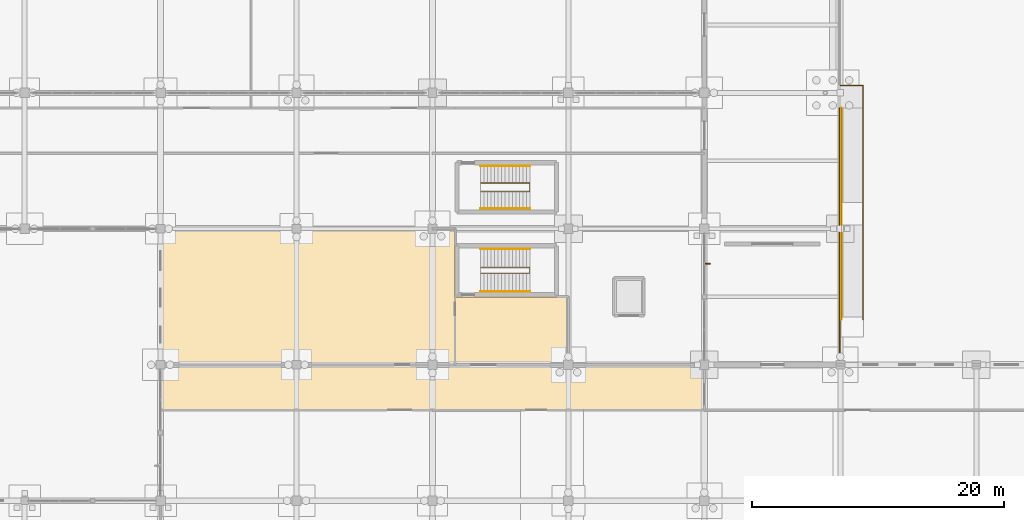
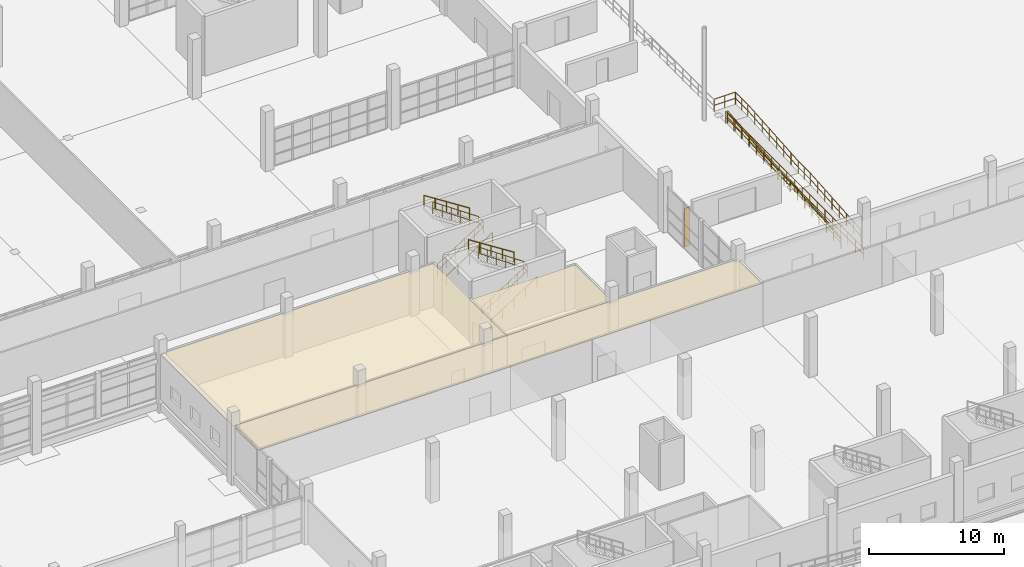
# One storey, part 135 of 138: 10 railings, 3 coverings, 1 shading device.
"""IFC4 building model written with IfcOpenShell, lengths in metres."""

from ifc_helpers import new_model, si_unit, direction, frame, origin, origin_2d, place, context, subcontext, project, spatial, polyline, rectangle, circle, outline, extrude, material, layer, layer_set, type_object, element, save


model = new_model("IFC4")

# Units and contexts
model_context = context("Model", 3, precision=1e-05, world=origin(), true_north=direction((0.0, 1.0)))
body_context = subcontext(model_context, "Body", "Model", "MODEL_VIEW")
ifc_project = project(units=[si_unit("LENGTHUNIT", "METRE"), si_unit("AREAUNIT", "SQUARE_METRE"), si_unit("VOLUMEUNIT", "CUBIC_METRE"), si_unit("PLANEANGLEUNIT", "RADIAN"), si_unit("MASSUNIT", "GRAM", prefix="KILO")], contexts=[model_context])

# Site, building, storey
site_placement = place(None, origin())
site = spatial("IfcSite", under=ifc_project, at=site_placement, CompositionType="ELEMENT")
building_placement = place(site_placement, origin())
building = spatial("IfcBuilding", under=site, at=building_placement, Name="Zwinboog Wholesale Market", CompositionType="ELEMENT")
storey_placement = place(building_placement, origin())
storey = spatial("IfcBuildingStorey", under=building, at=storey_placement, Name="L00", CompositionType="ELEMENT", Elevation=0.0)

# Shading device
ifc_material_1 = material(Name="Western red cedar timber", Category="wood")
shading_device_type = type_object("IfcShadingDeviceType", Name="SHD-FIN-CEDAR", PredefinedType="USERDEFINED", material=ifc_material_1)
shading_device_placement = place(storey_placement, frame((173.054931640625, 40.4150390625, 0.080078125), z_axis=(0.0, 0.0, 1.0), x_axis=(1.0, 0.0, 0.0)))
element("IfcShadingDevice", 1, at=shading_device_placement, inside=storey, type_object=shading_device_type, Name="FN-01 (SHD-FIN-015)", ObjectType="FIN", PredefinedType="USERDEFINED", context=body_context, shape_type="SweptSolid", body=[
    extrude(rectangle(XDim=0.419921875, YDim=0.0849609375, at=origin_2d()), origin(), (0.0, 0.0, 1.0), 3.5),
])

# Railings
ifc_material_2 = material(Name="Steel S355", Category="steel")
railing_type_1 = type_object("IfcRailingType", Name="RLT-EXT-GUARD", PredefinedType="BALUSTRADE", material=ifc_material_2)
railing_1_placement = place(storey_placement, frame((183.550048828125, 32.449951171875, 0.0)))
element("IfcRailing", 2, at=railing_1_placement, inside=storey, type_object=railing_type_1, Name="GR-01 (RLG-EXT-05)", PredefinedType="BALUSTRADE", context=body_context, shape_type="SweptSolid", body=[
    extrude(circle(Radius=0.02392578125, at=origin_2d()), frame((0.0, 0.0, 1.09619140625), z_axis=(0.0, 1.0, 0.0), x_axis=(-1.0, 0.0, 0.0)), (0.0, 0.0, 1.0), 20.35009765625),
    extrude(circle(Radius=0.02392578125, at=origin_2d()), frame((0.0, 0.0, 0.5361328125), z_axis=(0.0, 1.0, 0.0), x_axis=(-1.0, 0.0, 0.0)), (0.0, 0.0, 1.0), 20.35009765625),
    extrude(circle(Radius=0.02099609375, at=origin_2d()), origin(), (0.0, 0.0, 1.0), 1.072021484375),
    extrude(circle(Radius=0.02099609375, at=origin_2d()), frame((0.0, 1.130615234375, 0.0)), (0.0, 0.0, 1.0), 1.072021484375),
    extrude(circle(Radius=0.02099609375, at=origin_2d()), frame((0.0, 2.26123046875, 0.0)), (0.0, 0.0, 1.0), 1.072021484375),
    extrude(circle(Radius=0.02099609375, at=origin_2d()), frame((0.0, 3.3916015625, 0.0)), (0.0, 0.0, 1.0), 1.072021484375),
    extrude(circle(Radius=0.02099609375, at=origin_2d()), frame((0.0, 4.522216796875, 0.0)), (0.0, 0.0, 1.0), 1.072021484375),
    extrude(circle(Radius=0.02099609375, at=origin_2d()), frame((0.0, 5.65283203125, 0.0)), (0.0, 0.0, 1.0), 1.072021484375),
    extrude(circle(Radius=0.02099609375, at=origin_2d()), frame((0.0, 6.783447265625, 0.0)), (0.0, 0.0, 1.0), 1.072021484375),
    extrude(circle(Radius=0.02099609375, at=origin_2d()), frame((0.0, 7.913818359375, 0.0)), (0.0, 0.0, 1.0), 1.072021484375),
    extrude(circle(Radius=0.02099609375, at=origin_2d()), frame((0.0, 9.04443359375, 0.0)), (0.0, 0.0, 1.0), 1.072021484375),
    extrude(circle(Radius=0.02099609375, at=origin_2d()), frame((0.0, 10.175048828125, 0.0)), (0.0, 0.0, 1.0), 1.072021484375),
    extrude(circle(Radius=0.02099609375, at=origin_2d()), frame((0.0, 11.3056640625, 0.0)), (0.0, 0.0, 1.0), 1.072021484375),
    extrude(circle(Radius=0.02099609375, at=origin_2d()), frame((0.0, 12.436279296875, 0.0)), (0.0, 0.0, 1.0), 1.072021484375),
    extrude(circle(Radius=0.02099609375, at=origin_2d()), frame((0.0, 13.566650390625, 0.0)), (0.0, 0.0, 1.0), 1.072021484375),
    extrude(circle(Radius=0.02099609375, at=origin_2d()), frame((0.0, 14.697265625, 0.0)), (0.0, 0.0, 1.0), 1.072021484375),
    extrude(circle(Radius=0.02099609375, at=origin_2d()), frame((0.0, 15.827880859375, 0.0)), (0.0, 0.0, 1.0), 1.072021484375),
    extrude(circle(Radius=0.02099609375, at=origin_2d()), frame((0.0, 16.95849609375, 0.0)), (0.0, 0.0, 1.0), 1.072021484375),
    extrude(circle(Radius=0.02099609375, at=origin_2d()), frame((0.0, 18.0888671875, 0.0)), (0.0, 0.0, 1.0), 1.072021484375),
    extrude(circle(Radius=0.02099609375, at=origin_2d()), frame((0.0, 19.219482421875, 0.0)), (0.0, 0.0, 1.0), 1.072021484375),
    extrude(circle(Radius=0.02099609375, at=origin_2d()), frame((0.0, 20.35009765625, 0.0)), (0.0, 0.0, 1.0), 1.072021484375),
])
railing_2_placement = place(storey_placement, frame((185.409912109375, 36.0, -1.199951171875)))
element("IfcRailing", 3, at=railing_2_placement, inside=storey, type_object=railing_type_1, Name="GR-01 (RLG-RMP-04-GO)", PredefinedType="BALUSTRADE", context=body_context, shape_type="SweptSolid", body=[
    extrude(circle(Radius=0.02392578125, at=origin_2d()), frame((0.0, 0.0, 1.09619140625), z_axis=(0.0, 0.99681682597, 0.079725876999), x_axis=(-1.0, 0.0, 0.0)), (0.0, 0.0, 1.0), 7.52392578125),
    extrude(circle(Radius=0.02392578125, at=origin_2d()), frame((0.0, 0.0, 0.5361328125), z_axis=(0.0, 0.99681682597, 0.079725876999), x_axis=(-1.0, 0.0, 0.0)), (0.0, 0.0, 1.0), 7.52392578125),
    extrude(circle(Radius=0.02392578125, at=origin_2d()), frame((0.0, 7.5, 1.69580078125), z_axis=(0.0, 1.0, 0.0), x_axis=(-1.0, 0.0, 0.0)), (0.0, 0.0, 1.0), 1.800048828125),
    extrude(circle(Radius=0.02392578125, at=origin_2d()), frame((0.0, 7.5, 1.1357421875), z_axis=(0.0, 1.0, 0.0), x_axis=(-1.0, 0.0, 0.0)), (0.0, 0.0, 1.0), 1.800048828125),
    extrude(circle(Radius=0.02392578125, at=origin_2d()), frame((0.0, 9.300048828125, 1.69580078125), z_axis=(0.0, 0.996814246708, 0.079758119089), x_axis=(-1.0, 0.0, 0.0)), (0.0, 0.0, 1.0), 7.52392578125),
    extrude(circle(Radius=0.02392578125, at=origin_2d()), frame((0.0, 9.300048828125, 1.1357421875), z_axis=(0.0, 0.996814246708, 0.079758119089), x_axis=(-1.0, 0.0, 0.0)), (0.0, 0.0, 1.0), 7.52392578125),
    extrude(circle(Radius=0.02392578125, at=origin_2d()), frame((0.0, 16.800048828125, 2.2958984375), z_axis=(0.0, 1.0, 0.0), x_axis=(-1.0, 0.0, 0.0)), (0.0, 0.0, 1.0), 1.800048828125),
    extrude(circle(Radius=0.02392578125, at=origin_2d()), frame((0.0, 16.800048828125, 1.73583984375), z_axis=(0.0, 1.0, 0.0), x_axis=(-1.0, 0.0, 0.0)), (0.0, 0.0, 1.0), 1.800048828125),
    extrude(circle(Radius=0.02392578125, at=origin_2d()), frame((0.0, 18.60009765625, 2.2958984375), z_axis=(-1.0, 0.0, 0.0), x_axis=(0.0, -1.0, 0.0)), (0.0, 0.0, 1.0), 1.809814453125),
    extrude(circle(Radius=0.02392578125, at=origin_2d()), frame((0.0, 18.60009765625, 1.73583984375), z_axis=(-1.0, 0.0, 0.0), x_axis=(0.0, -1.0, 0.0)), (0.0, 0.0, 1.0), 1.809814453125),
    extrude(circle(Radius=0.02099609375, at=origin_2d()), origin(), (0.0, 0.0, 1.0), 1.072021484375),
    extrude(circle(Radius=0.02099609375, at=origin_2d()), frame((0.0, 1.071533203125, 0.085693359375)), (0.0, 0.0, 1.0), 1.072021484375),
    extrude(circle(Radius=0.02099609375, at=origin_2d()), frame((0.0, 2.142822265625, 0.17138671875)), (0.0, 0.0, 1.0), 1.072021484375),
    extrude(circle(Radius=0.02099609375, at=origin_2d()), frame((0.0, 3.21435546875, 0.257080078125)), (0.0, 0.0, 1.0), 1.072021484375),
    extrude(circle(Radius=0.02099609375, at=origin_2d()), frame((0.0, 4.28564453125, 0.3427734375)), (0.0, 0.0, 1.0), 1.072021484375),
    extrude(circle(Radius=0.02099609375, at=origin_2d()), frame((0.0, 5.357177734375, 0.428466796875)), (0.0, 0.0, 1.0), 1.072021484375),
    extrude(circle(Radius=0.02099609375, at=origin_2d()), frame((0.0, 6.428466796875, 0.51416015625)), (0.0, 0.0, 1.0), 1.072021484375),
    extrude(circle(Radius=0.02099609375, at=origin_2d()), frame((0.0, 7.5, 0.599853515625)), (0.0, 0.0, 1.0), 1.072021484375),
    extrude(circle(Radius=0.02099609375, at=origin_2d()), frame((0.0, 8.39990234375, 0.599853515625)), (0.0, 0.0, 1.0), 1.072021484375),
    extrude(circle(Radius=0.02099609375, at=origin_2d()), frame((0.0, 9.300048828125, 0.599853515625)), (0.0, 0.0, 1.0), 1.072021484375),
    extrude(circle(Radius=0.02099609375, at=origin_2d()), frame((0.0, 10.37158203125, 0.685546875)), (0.0, 0.0, 1.0), 1.072021484375),
    extrude(circle(Radius=0.02099609375, at=origin_2d()), frame((0.0, 11.44287109375, 0.771240234375)), (0.0, 0.0, 1.0), 1.072021484375),
    extrude(circle(Radius=0.02099609375, at=origin_2d()), frame((0.0, 12.514404296875, 0.85693359375)), (0.0, 0.0, 1.0), 1.072021484375),
    extrude(circle(Radius=0.02099609375, at=origin_2d()), frame((0.0, 13.585693359375, 0.94287109375)), (0.0, 0.0, 1.0), 1.072021484375),
    extrude(circle(Radius=0.02099609375, at=origin_2d()), frame((0.0, 14.6572265625, 1.028564453125)), (0.0, 0.0, 1.0), 1.072021484375),
    extrude(circle(Radius=0.02099609375, at=origin_2d()), frame((0.0, 15.728515625, 1.1142578125)), (0.0, 0.0, 1.0), 1.072021484375),
    extrude(circle(Radius=0.02099609375, at=origin_2d()), frame((0.0, 16.800048828125, 1.199951171875)), (0.0, 0.0, 1.0), 1.072021484375),
    extrude(circle(Radius=0.02099609375, at=origin_2d()), frame((0.0, 17.7001953125, 1.199951171875)), (0.0, 0.0, 1.0), 1.072021484375),
    extrude(circle(Radius=0.02099609375, at=origin_2d()), frame((0.0, 18.60009765625, 1.199951171875)), (0.0, 0.0, 1.0), 1.072021484375),
    extrude(circle(Radius=0.02099609375, at=origin_2d()), frame((-0.90478515625, 18.60009765625, 1.199951171875)), (0.0, 0.0, 1.0), 1.072021484375),
    extrude(circle(Radius=0.02099609375, at=origin_2d()), frame((-1.809814453125, 18.60009765625, 1.199951171875)), (0.0, 0.0, 1.0), 1.072021484375),
])
railing_3_placement = place(storey_placement, frame((183.68994140625, 36.0, -1.199951171875)))
element("IfcRailing", 4, at=railing_3_placement, inside=storey, type_object=railing_type_1, Name="GR-01 (RLG-RMP-04-GI)", PredefinedType="BALUSTRADE", context=body_context, shape_type="SweptSolid", body=[
    extrude(circle(Radius=0.02392578125, at=origin_2d()), frame((0.0, 0.0, 1.09619140625), z_axis=(0.0, 0.99681682597, 0.079725876999), x_axis=(-1.0, 0.0, 0.0)), (0.0, 0.0, 1.0), 7.52392578125),
    extrude(circle(Radius=0.02392578125, at=origin_2d()), frame((0.0, 0.0, 0.5361328125), z_axis=(0.0, 0.99681682597, 0.079725876999), x_axis=(-1.0, 0.0, 0.0)), (0.0, 0.0, 1.0), 7.52392578125),
    extrude(circle(Radius=0.02392578125, at=origin_2d()), frame((0.0, 7.5, 1.69580078125), z_axis=(0.0, 1.0, 0.0), x_axis=(-1.0, 0.0, 0.0)), (0.0, 0.0, 1.0), 1.800048828125),
    extrude(circle(Radius=0.02392578125, at=origin_2d()), frame((0.0, 7.5, 1.1357421875), z_axis=(0.0, 1.0, 0.0), x_axis=(-1.0, 0.0, 0.0)), (0.0, 0.0, 1.0), 1.800048828125),
    extrude(circle(Radius=0.02392578125, at=origin_2d()), frame((0.0, 9.300048828125, 1.69580078125), z_axis=(0.0, 0.996814246708, 0.079758119089), x_axis=(-1.0, 0.0, 0.0)), (0.0, 0.0, 1.0), 7.52392578125),
    extrude(circle(Radius=0.02392578125, at=origin_2d()), frame((0.0, 9.300048828125, 1.1357421875), z_axis=(0.0, 0.996814246708, 0.079758119089), x_axis=(-1.0, 0.0, 0.0)), (0.0, 0.0, 1.0), 7.52392578125),
    extrude(circle(Radius=0.02099609375, at=origin_2d()), origin(), (0.0, 0.0, 1.0), 1.072021484375),
    extrude(circle(Radius=0.02099609375, at=origin_2d()), frame((0.0, 1.071533203125, 0.085693359375)), (0.0, 0.0, 1.0), 1.072021484375),
    extrude(circle(Radius=0.02099609375, at=origin_2d()), frame((0.0, 2.142822265625, 0.17138671875)), (0.0, 0.0, 1.0), 1.072021484375),
    extrude(circle(Radius=0.02099609375, at=origin_2d()), frame((0.0, 3.21435546875, 0.257080078125)), (0.0, 0.0, 1.0), 1.072021484375),
    extrude(circle(Radius=0.02099609375, at=origin_2d()), frame((0.0, 4.28564453125, 0.3427734375)), (0.0, 0.0, 1.0), 1.072021484375),
    extrude(circle(Radius=0.02099609375, at=origin_2d()), frame((0.0, 5.357177734375, 0.428466796875)), (0.0, 0.0, 1.0), 1.072021484375),
    extrude(circle(Radius=0.02099609375, at=origin_2d()), frame((0.0, 6.428466796875, 0.51416015625)), (0.0, 0.0, 1.0), 1.072021484375),
    extrude(circle(Radius=0.02099609375, at=origin_2d()), frame((0.0, 7.5, 0.599853515625)), (0.0, 0.0, 1.0), 1.072021484375),
    extrude(circle(Radius=0.02099609375, at=origin_2d()), frame((0.0, 8.39990234375, 0.599853515625)), (0.0, 0.0, 1.0), 1.072021484375),
    extrude(circle(Radius=0.02099609375, at=origin_2d()), frame((0.0, 9.300048828125, 0.599853515625)), (0.0, 0.0, 1.0), 1.072021484375),
    extrude(circle(Radius=0.02099609375, at=origin_2d()), frame((0.0, 10.37158203125, 0.685546875)), (0.0, 0.0, 1.0), 1.072021484375),
    extrude(circle(Radius=0.02099609375, at=origin_2d()), frame((0.0, 11.44287109375, 0.771240234375)), (0.0, 0.0, 1.0), 1.072021484375),
    extrude(circle(Radius=0.02099609375, at=origin_2d()), frame((0.0, 12.514404296875, 0.85693359375)), (0.0, 0.0, 1.0), 1.072021484375),
    extrude(circle(Radius=0.02099609375, at=origin_2d()), frame((0.0, 13.585693359375, 0.94287109375)), (0.0, 0.0, 1.0), 1.072021484375),
    extrude(circle(Radius=0.02099609375, at=origin_2d()), frame((0.0, 14.6572265625, 1.028564453125)), (0.0, 0.0, 1.0), 1.072021484375),
    extrude(circle(Radius=0.02099609375, at=origin_2d()), frame((0.0, 15.728515625, 1.1142578125)), (0.0, 0.0, 1.0), 1.072021484375),
    extrude(circle(Radius=0.02099609375, at=origin_2d()), frame((0.0, 16.800048828125, 1.199951171875)), (0.0, 0.0, 1.0), 1.072021484375),
])
railing_type_2 = type_object("IfcRailingType", Name="RLT-INT-GUARD", PredefinedType="BALUSTRADE", material=ifc_material_2)
railing_4_placement = place(storey_placement, frame((155.02001953125, 39.659912109375, 0.179931640625)))
element("IfcRailing", 5, at=railing_4_placement, inside=storey, type_object=railing_type_2, Name="GR-02 (RLG-ST-12A-G1)", PredefinedType="BALUSTRADE", context=body_context, shape_type="SweptSolid", body=[
    extrude(circle(Radius=0.02392578125, at=origin_2d()), frame((0.0, 0.0, 1.09619140625), z_axis=(0.841171666519, 0.0, 0.540768182723), x_axis=(0.0, 1.0, 0.0)), (0.0, 0.0, 1.0), 4.66015625),
    extrude(circle(Radius=0.02392578125, at=origin_2d()), frame((0.0, 0.0, 0.5361328125), z_axis=(0.841171666519, 0.0, 0.540768182723), x_axis=(0.0, 1.0, 0.0)), (0.0, 0.0, 1.0), 4.66015625),
    extrude(circle(Radius=0.02392578125, at=origin_2d()), frame((3.919921875, 0.0, 3.6162109375), z_axis=(0.0, 1.0, 0.0), x_axis=(-1.0, 0.0, 0.0)), (0.0, 0.0, 1.0), 0.47998046875),
    extrude(circle(Radius=0.02392578125, at=origin_2d()), frame((3.919921875, 0.0, 3.05615234375), z_axis=(0.0, 1.0, 0.0), x_axis=(-1.0, 0.0, 0.0)), (0.0, 0.0, 1.0), 0.47998046875),
    extrude(circle(Radius=0.02392578125, at=origin_2d()), frame((3.919921875, 0.47998046875, 3.6162109375), z_axis=(-0.823550731654, 0.0, 0.567242622158), x_axis=(0.0, -1.0, 0.0)), (0.0, 0.0, 1.0), 4.759765625),
    extrude(circle(Radius=0.02392578125, at=origin_2d()), frame((3.919921875, 0.47998046875, 3.05615234375), z_axis=(-0.823550731654, 0.0, 0.567242622158), x_axis=(0.0, -1.0, 0.0)), (0.0, 0.0, 1.0), 4.759765625),
    extrude(circle(Radius=0.02099609375, at=origin_2d()), origin(), (0.0, 0.0, 1.0), 1.072021484375),
    extrude(circle(Radius=0.02099609375, at=origin_2d()), frame((0.783935546875, 0.0, 0.50390625)), (0.0, 0.0, 1.0), 1.072021484375),
    extrude(circle(Radius=0.02099609375, at=origin_2d()), frame((1.56787109375, 0.0, 1.008056640625)), (0.0, 0.0, 1.0), 1.072021484375),
    extrude(circle(Radius=0.02099609375, at=origin_2d()), frame((2.35205078125, 0.0, 1.511962890625)), (0.0, 0.0, 1.0), 1.072021484375),
    extrude(circle(Radius=0.02099609375, at=origin_2d()), frame((3.135986328125, 0.0, 2.01611328125)), (0.0, 0.0, 1.0), 1.072021484375),
    extrude(circle(Radius=0.02099609375, at=origin_2d()), frame((3.919921875, 0.0, 2.52001953125)), (0.0, 0.0, 1.0), 1.072021484375),
    extrude(circle(Radius=0.02099609375, at=origin_2d()), frame((3.919921875, 0.47998046875, 2.52001953125)), (0.0, 0.0, 1.0), 1.072021484375),
    extrude(circle(Radius=0.02099609375, at=origin_2d()), frame((3.135986328125, 0.47998046875, 3.06005859375)), (0.0, 0.0, 1.0), 1.072021484375),
    extrude(circle(Radius=0.02099609375, at=origin_2d()), frame((2.35205078125, 0.47998046875, 3.60009765625)), (0.0, 0.0, 1.0), 1.072021484375),
    extrude(circle(Radius=0.02099609375, at=origin_2d()), frame((1.56787109375, 0.47998046875, 4.139892578125)), (0.0, 0.0, 1.0), 1.072021484375),
    extrude(circle(Radius=0.02099609375, at=origin_2d()), frame((0.783935546875, 0.47998046875, 4.679931640625)), (0.0, 0.0, 1.0), 1.072021484375),
    extrude(circle(Radius=0.02099609375, at=origin_2d()), frame((0.0, 0.47998046875, 5.219970703125)), (0.0, 0.0, 1.0), 1.072021484375),
])
railing_5_placement = place(storey_placement, frame((155.02001953125, 46.159912109375, 0.179931640625)))
element("IfcRailing", 6, at=railing_5_placement, inside=storey, type_object=railing_type_2, Name="GR-02 (RLG-ST-15-G1)", PredefinedType="BALUSTRADE", context=body_context, shape_type="SweptSolid", body=[
    extrude(circle(Radius=0.02392578125, at=origin_2d()), frame((0.0, 0.0, 1.09619140625), z_axis=(0.841171666519, 0.0, 0.540768182723), x_axis=(0.0, 1.0, 0.0)), (0.0, 0.0, 1.0), 4.66015625),
    extrude(circle(Radius=0.02392578125, at=origin_2d()), frame((0.0, 0.0, 0.5361328125), z_axis=(0.841171666519, 0.0, 0.540768182723), x_axis=(0.0, 1.0, 0.0)), (0.0, 0.0, 1.0), 4.66015625),
    extrude(circle(Radius=0.02392578125, at=origin_2d()), frame((3.919921875, 0.0, 3.6162109375), z_axis=(0.0, 1.0, 0.0), x_axis=(-1.0, 0.0, 0.0)), (0.0, 0.0, 1.0), 0.68017578125),
    extrude(circle(Radius=0.02392578125, at=origin_2d()), frame((3.919921875, 0.0, 3.05615234375), z_axis=(0.0, 1.0, 0.0), x_axis=(-1.0, 0.0, 0.0)), (0.0, 0.0, 1.0), 0.68017578125),
    extrude(circle(Radius=0.02392578125, at=origin_2d()), frame((3.919921875, 0.68017578125, 3.6162109375), z_axis=(-0.823550731654, 0.0, 0.567242622158), x_axis=(0.0, -1.0, 0.0)), (0.0, 0.0, 1.0), 4.759765625),
    extrude(circle(Radius=0.02392578125, at=origin_2d()), frame((3.919921875, 0.68017578125, 3.05615234375), z_axis=(-0.823550731654, 0.0, 0.567242622158), x_axis=(0.0, -1.0, 0.0)), (0.0, 0.0, 1.0), 4.759765625),
    extrude(circle(Radius=0.02099609375, at=origin_2d()), origin(), (0.0, 0.0, 1.0), 1.072021484375),
    extrude(circle(Radius=0.02099609375, at=origin_2d()), frame((0.783935546875, 0.0, 0.50390625)), (0.0, 0.0, 1.0), 1.072021484375),
    extrude(circle(Radius=0.02099609375, at=origin_2d()), frame((1.56787109375, 0.0, 1.008056640625)), (0.0, 0.0, 1.0), 1.072021484375),
    extrude(circle(Radius=0.02099609375, at=origin_2d()), frame((2.35205078125, 0.0, 1.511962890625)), (0.0, 0.0, 1.0), 1.072021484375),
    extrude(circle(Radius=0.02099609375, at=origin_2d()), frame((3.135986328125, 0.0, 2.01611328125)), (0.0, 0.0, 1.0), 1.072021484375),
    extrude(circle(Radius=0.02099609375, at=origin_2d()), frame((3.919921875, 0.0, 2.52001953125)), (0.0, 0.0, 1.0), 1.072021484375),
    extrude(circle(Radius=0.02099609375, at=origin_2d()), frame((3.919921875, 0.68017578125, 2.52001953125)), (0.0, 0.0, 1.0), 1.072021484375),
    extrude(circle(Radius=0.02099609375, at=origin_2d()), frame((3.135986328125, 0.68017578125, 3.06005859375)), (0.0, 0.0, 1.0), 1.072021484375),
    extrude(circle(Radius=0.02099609375, at=origin_2d()), frame((2.35205078125, 0.68017578125, 3.60009765625)), (0.0, 0.0, 1.0), 1.072021484375),
    extrude(circle(Radius=0.02099609375, at=origin_2d()), frame((1.56787109375, 0.68017578125, 4.139892578125)), (0.0, 0.0, 1.0), 1.072021484375),
    extrude(circle(Radius=0.02099609375, at=origin_2d()), frame((0.783935546875, 0.68017578125, 4.679931640625)), (0.0, 0.0, 1.0), 1.072021484375),
    extrude(circle(Radius=0.02099609375, at=origin_2d()), frame((0.0, 0.68017578125, 5.219970703125)), (0.0, 0.0, 1.0), 1.072021484375),
])
railing_type_3 = type_object("IfcRailingType", Name="RLT-HANDRAIL", PredefinedType="HANDRAIL", material=ifc_material_2)
railing_6_placement = place(storey_placement, frame((155.02001953125, 38.2099609375, 0.179931640625)))
element("IfcRailing", 7, at=railing_6_placement, inside=storey, type_object=railing_type_3, Name="HR-01 (RLG-ST-12A-HR1)", PredefinedType="HANDRAIL", context=body_context, shape_type="SweptSolid", body=[
    extrude(circle(Radius=0.02392578125, at=origin_2d()), frame((0.0, 0.0, 0.8759765625), z_axis=(0.841171666519, 0.0, 0.540768182723), x_axis=(0.0, 1.0, 0.0)), (0.0, 0.0, 1.0), 4.66015625),
    extrude(circle(Radius=0.02099609375, at=origin_2d()), origin(), (0.0, 0.0, 1.0), 0.851806640625),
    extrude(circle(Radius=0.02099609375, at=origin_2d()), frame((0.97998046875, 0.0, 0.6298828125)), (0.0, 0.0, 1.0), 0.851806640625),
    extrude(circle(Radius=0.02099609375, at=origin_2d()), frame((1.9599609375, 0.0, 1.260009765625)), (0.0, 0.0, 1.0), 0.851806640625),
    extrude(circle(Radius=0.02099609375, at=origin_2d()), frame((2.93994140625, 0.0, 1.89013671875)), (0.0, 0.0, 1.0), 0.851806640625),
    extrude(circle(Radius=0.02099609375, at=origin_2d()), frame((3.919921875, 0.0, 2.52001953125)), (0.0, 0.0, 1.0), 0.851806640625),
])
railing_7_placement = place(storey_placement, frame((158.93994140625, 41.590087890625, 2.8798828125)))
element("IfcRailing", 8, at=railing_7_placement, inside=storey, type_object=railing_type_3, Name="HR-01 (RLG-ST-12A-HR2)", PredefinedType="HANDRAIL", context=body_context, shape_type="SweptSolid", body=[
    extrude(circle(Radius=0.02392578125, at=origin_2d()), frame((0.0, 0.0, 0.8759765625), z_axis=(-0.841171666519, 0.0, 0.540768182723), x_axis=(0.0, -1.0, 0.0)), (0.0, 0.0, 1.0), 4.66015625),
    extrude(circle(Radius=0.02099609375, at=origin_2d()), origin(), (0.0, 0.0, 1.0), 0.851806640625),
    extrude(circle(Radius=0.02099609375, at=origin_2d()), frame((-0.97998046875, 0.0, 0.6298828125)), (0.0, 0.0, 1.0), 0.851806640625),
    extrude(circle(Radius=0.02099609375, at=origin_2d()), frame((-1.9599609375, 0.0, 1.260009765625)), (0.0, 0.0, 1.0), 0.851806640625),
    extrude(circle(Radius=0.02099609375, at=origin_2d()), frame((-2.93994140625, 0.0, 1.89013671875)), (0.0, 0.0, 1.0), 0.851806640625),
    extrude(circle(Radius=0.02099609375, at=origin_2d()), frame((-3.919921875, 0.0, 2.52001953125)), (0.0, 0.0, 1.0), 0.851806640625),
])
railing_8_placement = place(storey_placement, frame((155.02001953125, 44.81005859375, 0.179931640625)))
element("IfcRailing", 9, at=railing_8_placement, inside=storey, type_object=railing_type_3, Name="HR-01 (RLG-ST-15-HR1)", PredefinedType="HANDRAIL", context=body_context, shape_type="SweptSolid", body=[
    extrude(circle(Radius=0.02392578125, at=origin_2d()), frame((0.0, 0.0, 0.8759765625), z_axis=(0.841171666519, 0.0, 0.540768182723), x_axis=(0.0, 1.0, 0.0)), (0.0, 0.0, 1.0), 4.66015625),
    extrude(circle(Radius=0.02099609375, at=origin_2d()), origin(), (0.0, 0.0, 1.0), 0.851806640625),
    extrude(circle(Radius=0.02099609375, at=origin_2d()), frame((0.97998046875, 0.0, 0.6298828125)), (0.0, 0.0, 1.0), 0.851806640625),
    extrude(circle(Radius=0.02099609375, at=origin_2d()), frame((1.9599609375, 0.0, 1.260009765625)), (0.0, 0.0, 1.0), 0.851806640625),
    extrude(circle(Radius=0.02099609375, at=origin_2d()), frame((2.93994140625, 0.0, 1.89013671875)), (0.0, 0.0, 1.0), 0.851806640625),
    extrude(circle(Radius=0.02099609375, at=origin_2d()), frame((3.919921875, 0.0, 2.52001953125)), (0.0, 0.0, 1.0), 0.851806640625),
])
railing_9_placement = place(storey_placement, frame((158.93994140625, 48.18994140625, 2.8798828125)))
element("IfcRailing", 10, at=railing_9_placement, inside=storey, type_object=railing_type_3, Name="HR-01 (RLG-ST-15-HR2)", PredefinedType="HANDRAIL", context=body_context, shape_type="SweptSolid", body=[
    extrude(circle(Radius=0.02392578125, at=origin_2d()), frame((0.0, 0.0, 0.8759765625), z_axis=(-0.841171666519, 0.0, 0.540768182723), x_axis=(0.0, -1.0, 0.0)), (0.0, 0.0, 1.0), 4.66015625),
    extrude(circle(Radius=0.02099609375, at=origin_2d()), origin(), (0.0, 0.0, 1.0), 0.851806640625),
    extrude(circle(Radius=0.02099609375, at=origin_2d()), frame((-0.97998046875, 0.0, 0.6298828125)), (0.0, 0.0, 1.0), 0.851806640625),
    extrude(circle(Radius=0.02099609375, at=origin_2d()), frame((-1.9599609375, 0.0, 1.260009765625)), (0.0, 0.0, 1.0), 0.851806640625),
    extrude(circle(Radius=0.02099609375, at=origin_2d()), frame((-2.93994140625, 0.0, 1.89013671875)), (0.0, 0.0, 1.0), 0.851806640625),
    extrude(circle(Radius=0.02099609375, at=origin_2d()), frame((-3.919921875, 0.0, 2.52001953125)), (0.0, 0.0, 1.0), 0.851806640625),
])
railing_10_placement = place(storey_placement, frame((183.68994140625, 36.0, -1.199951171875)))
element("IfcRailing", 11, at=railing_10_placement, inside=storey, type_object=railing_type_3, Name="HR-01 (RLG-RMP-04-HR)", PredefinedType="HANDRAIL", context=body_context, shape_type="SweptSolid", body=[
    extrude(circle(Radius=0.02392578125, at=origin_2d()), frame((0.0, 0.0, 0.8759765625), z_axis=(0.0, 0.99681682597, 0.079725876999), x_axis=(-1.0, 0.0, 0.0)), (0.0, 0.0, 1.0), 7.52392578125),
    extrude(circle(Radius=0.02392578125, at=origin_2d()), frame((0.0, 7.5, 1.4755859375), z_axis=(0.0, 1.0, 0.0), x_axis=(-1.0, 0.0, 0.0)), (0.0, 0.0, 1.0), 1.800048828125),
    extrude(circle(Radius=0.02392578125, at=origin_2d()), frame((0.0, 9.300048828125, 1.4755859375), z_axis=(0.0, 0.996814246708, 0.079758119089), x_axis=(-1.0, 0.0, 0.0)), (0.0, 0.0, 1.0), 7.52392578125),
    extrude(circle(Radius=0.02099609375, at=origin_2d()), origin(), (0.0, 0.0, 1.0), 0.851806640625),
    extrude(circle(Radius=0.02099609375, at=origin_2d()), frame((0.0, 1.071533203125, 0.085693359375)), (0.0, 0.0, 1.0), 0.851806640625),
    extrude(circle(Radius=0.02099609375, at=origin_2d()), frame((0.0, 2.142822265625, 0.17138671875)), (0.0, 0.0, 1.0), 0.851806640625),
    extrude(circle(Radius=0.02099609375, at=origin_2d()), frame((0.0, 3.21435546875, 0.257080078125)), (0.0, 0.0, 1.0), 0.851806640625),
    extrude(circle(Radius=0.02099609375, at=origin_2d()), frame((0.0, 4.28564453125, 0.3427734375)), (0.0, 0.0, 1.0), 0.851806640625),
    extrude(circle(Radius=0.02099609375, at=origin_2d()), frame((0.0, 5.357177734375, 0.428466796875)), (0.0, 0.0, 1.0), 0.851806640625),
    extrude(circle(Radius=0.02099609375, at=origin_2d()), frame((0.0, 6.428466796875, 0.51416015625)), (0.0, 0.0, 1.0), 0.851806640625),
    extrude(circle(Radius=0.02099609375, at=origin_2d()), frame((0.0, 7.5, 0.599853515625)), (0.0, 0.0, 1.0), 0.851806640625),
    extrude(circle(Radius=0.02099609375, at=origin_2d()), frame((0.0, 8.39990234375, 0.599853515625)), (0.0, 0.0, 1.0), 0.851806640625),
    extrude(circle(Radius=0.02099609375, at=origin_2d()), frame((0.0, 9.300048828125, 0.599853515625)), (0.0, 0.0, 1.0), 0.851806640625),
    extrude(circle(Radius=0.02099609375, at=origin_2d()), frame((0.0, 10.37158203125, 0.685546875)), (0.0, 0.0, 1.0), 0.851806640625),
    extrude(circle(Radius=0.02099609375, at=origin_2d()), frame((0.0, 11.44287109375, 0.771240234375)), (0.0, 0.0, 1.0), 0.851806640625),
    extrude(circle(Radius=0.02099609375, at=origin_2d()), frame((0.0, 12.514404296875, 0.85693359375)), (0.0, 0.0, 1.0), 0.851806640625),
    extrude(circle(Radius=0.02099609375, at=origin_2d()), frame((0.0, 13.585693359375, 0.94287109375)), (0.0, 0.0, 1.0), 0.851806640625),
    extrude(circle(Radius=0.02099609375, at=origin_2d()), frame((0.0, 14.6572265625, 1.028564453125)), (0.0, 0.0, 1.0), 0.851806640625),
    extrude(circle(Radius=0.02099609375, at=origin_2d()), frame((0.0, 15.728515625, 1.1142578125)), (0.0, 0.0, 1.0), 0.851806640625),
    extrude(circle(Radius=0.02099609375, at=origin_2d()), frame((0.0, 16.800048828125, 1.199951171875)), (0.0, 0.0, 1.0), 0.851806640625),
])

# Coverings
ifc_material_3 = material(Name="Hygienic washable acoustic gypsum ceiling")
ifc_layer = layer(ifc_material_3, 0.050048828125)
ifc_layer_set = layer_set([ifc_layer], Name="Hygienic washable acoustic gypsum ceiling")
covering_type = type_object("IfcCoveringType", Name="COV-CEIL-HYG", PredefinedType="CEILING", material=ifc_layer_set)
covering_1_placement = place(storey_placement, frame((0.0, 0.0, 3.800048828125)))
element("IfcCovering", 12, at=covering_1_placement, inside=storey, type_object=covering_type, Name="CL-02 (COV-CL-L00-012)", PredefinedType="CEILING", context=body_context, shape_type="SweptSolid", body=[
    extrude(outline(polyline([(129.60009765625, 28.800048828125), (172.800048828125, 28.800048828125), (172.800048828125, 32.39990234375), (129.60009765625, 32.39990234375), (129.60009765625, 28.800048828125)])), origin(), (0.0, 0.0, 1.0), 0.050048828125),
])
covering_2_placement = place(storey_placement, frame((0.0, 0.0, 3.800048828125)))
element("IfcCovering", 13, at=covering_2_placement, inside=storey, type_object=covering_type, Name="CL-02 (COV-CL-L00-013)", PredefinedType="CEILING", context=body_context, shape_type="SweptSolid", body=[
    extrude(outline(polyline([(153.0, 32.39990234375), (162.0, 32.39990234375), (162.0, 37.800048828125), (153.0, 37.800048828125), (153.0, 32.39990234375)])), origin(), (0.0, 0.0, 1.0), 0.050048828125),
])
covering_3_placement = place(storey_placement, frame((0.0, 0.0, 3.800048828125)))
element("IfcCovering", 14, at=covering_3_placement, inside=storey, type_object=covering_type, Name="CL-02 (COV-CL-L00-014)", PredefinedType="CEILING", context=body_context, shape_type="SweptSolid", body=[
    extrude(outline(polyline([(129.60009765625, 32.39990234375), (153.0, 32.39990234375), (153.0, 43.199951171875), (129.60009765625, 43.199951171875), (129.60009765625, 32.39990234375)])), origin(), (0.0, 0.0, 1.0), 0.050048828125),
])

save(model, "model.ifc")
